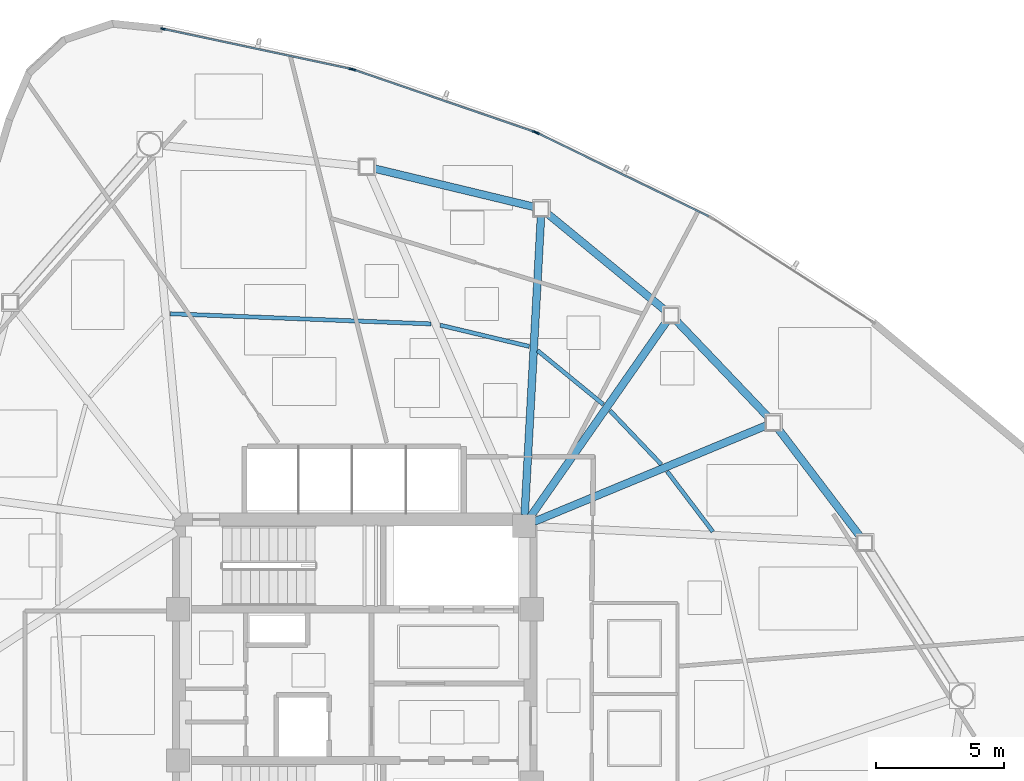
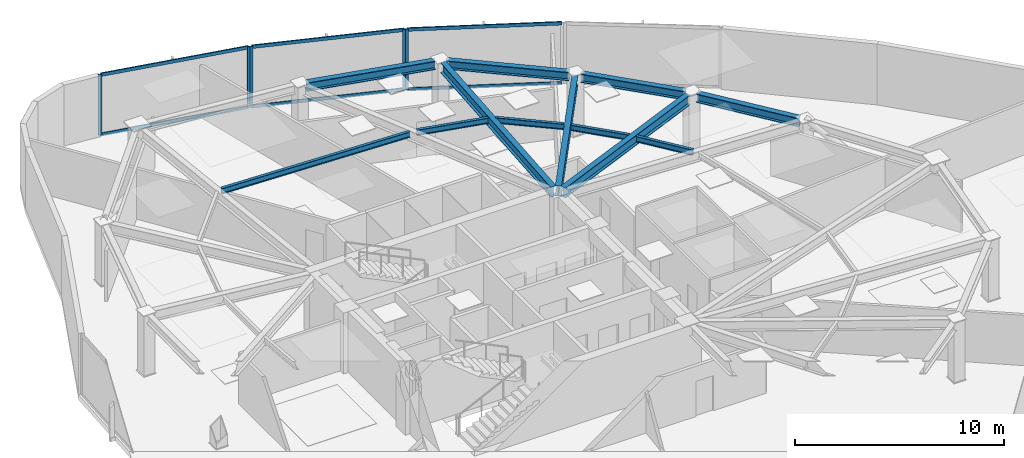
# One storey, part 8 of 17: 12 beams, 11 members, 3 elements without a shape of their own.
"""IFC4 building model written with IfcOpenShell, lengths in metres."""

from ifc_helpers import new_model, si_unit, direction, frame, origin, origin_2d, place, context, subcontext, project, spatial, hollow_rectangle, i_section, extrude, source, transform, mapped, material, layer, layer_set, material_profile, profile_set, type_object, type_shapes, element, aggregate, save


model = new_model("IFC4")

# Units and contexts
model_context = context("Model", 3, precision=1e-05, world=origin(), true_north=direction((0.0, 1.0)))
body_context = subcontext(model_context, "Body", "Model", "MODEL_VIEW")
ifc_project = project(units=[si_unit("LENGTHUNIT", "METRE"), si_unit("AREAUNIT", "SQUARE_METRE"), si_unit("VOLUMEUNIT", "CUBIC_METRE"), si_unit("PLANEANGLEUNIT", "RADIAN"), si_unit("MASSUNIT", "GRAM", prefix="KILO")], contexts=[model_context])

# Site, building, storey
site_placement = place(None, origin())
site = spatial("IfcSite", under=ifc_project, at=site_placement, CompositionType="ELEMENT")
building_placement = place(site_placement, origin())
building = spatial("IfcBuilding", under=site, at=building_placement, Name="Tavelor Broadcast Tower", CompositionType="ELEMENT")
storey_placement = place(building_placement, frame((0.0, 0.0, 161.800048828125)))
storey = spatial("IfcBuildingStorey", under=building, at=storey_placement, Name="L38", CompositionType="ELEMENT", Elevation=161.800048828125)

# Beams
ifc_material_1 = material(Name="Steel S355", Category="steel")
ifc_material_profile_1 = material_profile(ifc_material_1, i_section(OverallWidth=0.159912109375, OverallDepth=0.330078125, WebThickness=0.007568359375, FlangeThickness=0.011474609375, at=origin_2d()), Name="IPE 330")
ifc_profile_set_1 = profile_set([ifc_material_profile_1], Name="Steel S355")
beam_type_1 = type_object("IfcBeamType", Name="Composite Floor Joist T4 IPE 330", PredefinedType="JOIST", material=ifc_profile_set_1)
beam_1_placement = place(storey_placement, frame((63.959716796875, 50.9755859375, 3.385009765625), z_axis=(-0.604116162247, 0.796896268351, 0.0), x_axis=(-0.796896268351, -0.604116162247, 0.0)))
element("IfcBeam", 1, at=beam_1_placement, inside=storey, type_object=beam_type_1, Name="L38 Secondary Composite Floor Joist 14", PredefinedType="JOIST", context=body_context, shape_type="SweptSolid", body=[
    extrude(i_section(OverallWidth=0.159912109375, OverallDepth=0.330078125, WebThickness=0.007568359375, FlangeThickness=0.011474609375, at=origin_2d()), origin(), (0.0, 0.0, 1.0), 2.94580078125),
])
beam_2_placement = place(storey_placement, frame((61.946044921875, 53.59814453125, 3.385009765625), z_axis=(-0.689642531817, 0.724149969487, 0.0), x_axis=(-0.724149969487, -0.689642531817, 0.0)))
element("IfcBeam", 2, at=beam_2_placement, inside=storey, type_object=beam_type_1, Name="L38 Secondary Composite Floor Joist 15", PredefinedType="JOIST", context=body_context, shape_type="SweptSolid", body=[
    extrude(i_section(OverallWidth=0.159912109375, OverallDepth=0.330078125, WebThickness=0.007568359375, FlangeThickness=0.011474609375, at=origin_2d()), origin(), (0.0, 0.0, 1.0), 2.893798828125),
])
beam_3_placement = place(storey_placement, frame((59.685791015625, 55.939453125, 3.385009765625), z_axis=(-0.773655391446, 0.633606609251, 0.0), x_axis=(-0.633606609251, -0.773655391446, 0.0)))
element("IfcBeam", 3, at=beam_3_placement, inside=storey, type_object=beam_type_1, Name="L38 Secondary Composite Floor Joist 16", PredefinedType="JOIST", context=body_context, shape_type="SweptSolid", body=[
    extrude(i_section(OverallWidth=0.159912109375, OverallDepth=0.330078125, WebThickness=0.007568359375, FlangeThickness=0.011474609375, at=origin_2d()), origin(), (0.0, 0.0, 1.0), 3.315673828125),
])
beam_4_placement = place(storey_placement, frame((56.804443359375, 58.197021484375, 3.385009765625), z_axis=(-0.972674676245, 0.232172294196, 0.0), x_axis=(-0.232172294196, -0.972674676245, 0.0)))
element("IfcBeam", 4, at=beam_4_placement, inside=storey, type_object=beam_type_1, Name="L38 Secondary Composite Floor Joist 17", PredefinedType="JOIST", context=body_context, shape_type="SweptSolid", body=[
    extrude(i_section(OverallWidth=0.159912109375, OverallDepth=0.330078125, WebThickness=0.007568359375, FlangeThickness=0.011474609375, at=origin_2d()), origin(), (0.0, 0.0, 1.0), 3.56884765625),
])
beam_5_placement = place(storey_placement, frame((52.976318359375, 59.07470703125, 3.385009765625), z_axis=(-0.999243420365, 0.038891989637, 0.0), x_axis=(-0.038891989637, -0.999243420365, 0.0)))
element("IfcBeam", 5, at=beam_5_placement, inside=storey, type_object=beam_type_1, Name="L38 Secondary Composite Floor Joist 18", PredefinedType="JOIST", context=body_context, shape_type="SweptSolid", body=[
    extrude(i_section(OverallWidth=0.159912109375, OverallDepth=0.330078125, WebThickness=0.007568359375, FlangeThickness=0.011474609375, at=origin_2d()), origin(), (0.0, 0.0, 1.0), 10.17578125),
])
ifc_material_profile_2 = material_profile(ifc_material_1, i_section(OverallWidth=0.300048828125, OverallDepth=0.5, WebThickness=0.014404296875, FlangeThickness=0.028076171875, at=origin_2d()), Name="HEB 500")
ifc_profile_set_2 = profile_set([ifc_material_profile_2], Name="Steel S355")
beam_type_2 = type_object("IfcBeamType", Name="Perimeter Spandrel Beam T4 HEB 500", PredefinedType="SPANDREL", material=ifc_profile_set_2)
beam_6_placement = place(storey_placement, frame((69.711669921875, 50.7734375, 3.300048828125), z_axis=(-0.605502841959, 0.795843143075, 0.0), x_axis=(-0.795843143075, -0.605502841959, 0.0)))
element("IfcBeam", 6, at=beam_6_placement, inside=storey, type_object=beam_type_2, Name="L38 Framed-Tube Ring Spandrel 14", PredefinedType="SPANDREL", context=body_context, shape_type="SweptSolid", body=[
    extrude(i_section(OverallWidth=0.300048828125, OverallDepth=0.5, WebThickness=0.014404296875, FlangeThickness=0.028076171875, at=origin_2d()), origin(), (0.0, 0.0, 1.0), 5.310302734375),
])
beam_7_placement = place(storey_placement, frame((66.123291015625, 55.437255859375, 3.300048828125), z_axis=(-0.689936010055, 0.723870362723, 0.0), x_axis=(-0.723870362723, -0.689936010055, 0.0)))
element("IfcBeam", 7, at=beam_7_placement, inside=storey, type_object=beam_type_2, Name="L38 Framed-Tube Ring Spandrel 15", PredefinedType="SPANDREL", context=body_context, shape_type="SweptSolid", body=[
    extrude(i_section(OverallWidth=0.300048828125, OverallDepth=0.5, WebThickness=0.014404296875, FlangeThickness=0.028076171875, at=origin_2d()), origin(), (0.0, 0.0, 1.0), 5.208740234375),
])
beam_8_placement = place(storey_placement, frame((62.1083984375, 59.59912109375, 3.300048828125), z_axis=(-0.772717651191, 0.634749896839, 0.0), x_axis=(-0.634749896839, -0.772717651191, 0.0)))
element("IfcBeam", 8, at=beam_8_placement, inside=storey, type_object=beam_type_2, Name="L38 Framed-Tube Ring Spandrel 16", PredefinedType="SPANDREL", context=body_context, shape_type="SweptSolid", body=[
    extrude(i_section(OverallWidth=0.300048828125, OverallDepth=0.5, WebThickness=0.014404296875, FlangeThickness=0.028076171875, at=origin_2d()), origin(), (0.0, 0.0, 1.0), 5.965087890625),
])
beam_9_placement = place(storey_placement, frame((56.99658203125, 63.635498046875, 3.300048828125), z_axis=(-0.972354853411, 0.233508113452, 0.0), x_axis=(-0.233508113452, -0.972354853411, 0.0)))
element("IfcBeam", 9, at=beam_9_placement, inside=storey, type_object=beam_type_2, Name="L38 Framed-Tube Ring Spandrel 17", PredefinedType="SPANDREL", context=body_context, shape_type="SweptSolid", body=[
    extrude(i_section(OverallWidth=0.300048828125, OverallDepth=0.5, WebThickness=0.014404296875, FlangeThickness=0.028076171875, at=origin_2d()), origin(), (0.0, 0.0, 1.0), 6.421630859375),
])
ifc_material_profile_3 = material_profile(ifc_material_1, i_section(OverallWidth=0.300048828125, OverallDepth=0.590087890625, WebThickness=0.012939453125, FlangeThickness=0.02490234375, at=origin_2d()), Name="HEA 600")
ifc_profile_set_3 = profile_set([ifc_material_profile_3], Name="Steel S355")
beam_type_3 = type_object("IfcBeamType", Name="Radial Floor Girder T4 HEA 600", PredefinedType="BEAM", material=ifc_profile_set_3)
beam_10_placement = place(storey_placement, frame((56.9990234375, 51.365478515625, 3.2548828125), z_axis=(0.923827405628, 0.38280925356, 0.0), x_axis=(-0.38280925356, 0.923827405628, 0.0)))
element("IfcBeam", 10, at=beam_10_placement, inside=storey, type_object=beam_type_3, Name="L38 Radial Primary Floor Girder 15", PredefinedType="BEAM", context=body_context, shape_type="SweptSolid", body=[
    extrude(i_section(OverallWidth=0.300048828125, OverallDepth=0.590087890625, WebThickness=0.012939453125, FlangeThickness=0.02490234375, at=origin_2d()), origin(), (0.0, 0.0, 1.0), 9.8037109375),
])
beam_11_placement = place(storey_placement, frame((56.84716796875, 51.55419921875, 3.2548828125), z_axis=(0.572078083908, 0.820199162346, 0.0), x_axis=(-0.820199162346, 0.572078083908, 0.0)))
element("IfcBeam", 11, at=beam_11_placement, inside=storey, type_object=beam_type_3, Name="L38 Radial Primary Floor Girder 16", PredefinedType="BEAM", context=body_context, shape_type="SweptSolid", body=[
    extrude(i_section(OverallWidth=0.300048828125, OverallDepth=0.590087890625, WebThickness=0.012939453125, FlangeThickness=0.02490234375, at=origin_2d()), origin(), (0.0, 0.0, 1.0), 9.29736328125),
])
beam_12_placement = place(storey_placement, frame((56.62353515625, 51.63134765625, 3.2548828125), z_axis=(0.054637852805, 0.998506236856, 0.0), x_axis=(-0.998506236856, 0.054637852805, 0.0)))
element("IfcBeam", 12, at=beam_12_placement, inside=storey, type_object=beam_type_3, Name="L38 Radial Primary Floor Girder 17", PredefinedType="BEAM", context=body_context, shape_type="SweptSolid", body=[
    extrude(i_section(OverallWidth=0.300048828125, OverallDepth=0.590087890625, WebThickness=0.012939453125, FlangeThickness=0.02490234375, at=origin_2d()), origin(), (0.0, 0.0, 1.0), 11.666748046875),
])

# Curtain wall, member
ifc_material_2 = material(Name="Architectural Anodized Aluminium", Category="aluminium")
ifc_layer = layer(ifc_material_2, 0.18994140625)
ifc_layer_set = layer_set([ifc_layer], Name="Architectural Anodized Aluminium")
curtain_wall_type = type_object("IfcCurtainWallType", Name="Tower Mid-Zone Acoustic Curtain Wall CW03", PredefinedType="NOTDEFINED", material=ifc_layer_set)
curtain_wall_1_placement = place(storey_placement, origin())
curtain_wall_1 = element("IfcCurtainWall", 13, at=curtain_wall_1_placement, inside=storey, type_object=curtain_wall_type, Name="L38 Curtain Wall CW03 Run 406", PredefinedType="NOTDEFINED")
ifc_material_profile_4 = material_profile(ifc_material_2, hollow_rectangle(XDim=0.068115234375, YDim=0.18994140625, WallThickness=0.02197265625, at=origin_2d()), Name="RHS 68x190x22")
ifc_profile_set_4 = profile_set([ifc_material_profile_4], Name="Architectural Anodized Aluminium")
member_type_1 = type_object("IfcMemberType", Name="CW03 Extruded Aluminium Mullion 68x190", PredefinedType="MULLION", material=ifc_profile_set_4)
shared_shape_1 = source(origin(), body_context, "Body", "SweptSolid", [
    extrude(hollow_rectangle(XDim=0.068115234375, YDim=0.18994140625, WallThickness=0.02197265625, at=origin_2d()), origin(), (0.0, 0.0, 1.0), 3.550048828125),
])
type_shapes(member_type_1, [shared_shape_1])
member_1_placement = place(storey_placement, frame((57.10693359375, 66.520751953125, 0.0), z_axis=(0.0, 0.0, 1.0), x_axis=(-0.437177960717, -0.899375022259, 0.0)))
member_1 = element("IfcMember", 14, at=member_1_placement, type_object=member_type_1, Name="CW03 mullion 2", PredefinedType="MULLION", context=body_context, shape_type="MappedRepresentation", body=[
    mapped(shared_shape_1, transform((0.0, 0.0, 0.0), scale=1.0)),
])

# Curtain wall, members
curtain_wall_2_placement = place(storey_placement, origin())
curtain_wall_2 = element("IfcCurtainWall", 15, at=curtain_wall_2_placement, inside=storey, type_object=curtain_wall_type, Name="L38 Curtain Wall CW03 Run 407", PredefinedType="NOTDEFINED")
member_2_placement = place(storey_placement, frame((57.0166015625, 66.55810546875, 0.0), z_axis=(0.0, 0.0, 1.0), x_axis=(-0.325151282394, -0.945662013384, 0.0)))
member_2 = element("IfcMember", 16, at=member_2_placement, type_object=member_type_1, Name="CW03 mullion 1", PredefinedType="MULLION", context=body_context, shape_type="MappedRepresentation", body=[
    mapped(shared_shape_1, transform((0.0, 0.0, 0.0), scale=1.0)),
])
member_3_placement = place(storey_placement, frame((49.9482421875, 68.988525390625, 0.0), z_axis=(0.0, 0.0, 1.0), x_axis=(-0.325151282394, -0.945662013384, 0.0)))
member_3 = element("IfcMember", 17, at=member_3_placement, type_object=member_type_1, Name="CW03 mullion 2", PredefinedType="MULLION", context=body_context, shape_type="MappedRepresentation", body=[
    mapped(shared_shape_1, transform((0.0, 0.0, 0.0), scale=1.0)),
])

curtain_wall_3_placement = place(storey_placement, origin())
curtain_wall_3 = element("IfcCurtainWall", 18, at=curtain_wall_3_placement, inside=storey, type_object=curtain_wall_type, Name="L38 Curtain Wall CW03 Run 408", PredefinedType="NOTDEFINED")
member_4_placement = place(storey_placement, frame((49.85400390625, 69.0146484375, 0.0), z_axis=(0.0, 0.0, 1.0), x_axis=(-0.208306395051, -0.978063620518, 0.0)))
member_4 = element("IfcMember", 19, at=member_4_placement, type_object=member_type_1, Name="CW03 mullion 1", PredefinedType="MULLION", context=body_context, shape_type="MappedRepresentation", body=[
    mapped(shared_shape_1, transform((0.0, 0.0, 0.0), scale=1.0)),
])
member_5_placement = place(storey_placement, frame((42.5283203125, 70.57470703125, 0.0), z_axis=(0.0, 0.0, 1.0), x_axis=(-0.208306395051, -0.978063620518, 0.0)))
member_5 = element("IfcMember", 20, at=member_5_placement, type_object=member_type_1, Name="CW03 mullion 2", PredefinedType="MULLION", context=body_context, shape_type="MappedRepresentation", body=[
    mapped(shared_shape_1, transform((0.0, 0.0, 0.0), scale=1.0)),
])

# Member
ifc_material_profile_5 = material_profile(ifc_material_2, hollow_rectangle(XDim=0.068115234375, YDim=0.18994140625, WallThickness=0.02197265625, at=origin_2d()), Name="RHS 68x190x22")
ifc_profile_set_5 = profile_set([ifc_material_profile_5], Name="Architectural Anodized Aluminium")
member_type_2 = type_object("IfcMemberType", Name="CW03 Extruded Aluminium Transom 68x190", PredefinedType="USERDEFINED", material=ifc_profile_set_5)
shared_shape_2 = source(origin(), body_context, "Body", "SweptSolid", [
    extrude(hollow_rectangle(XDim=0.068115234375, YDim=0.18994140625, WallThickness=0.02197265625, at=origin_2d()), origin(), (0.0, 0.0, 1.0), 7.40625),
])
member_6_placement = place(storey_placement, frame((63.79833984375, 63.26806640625, 0.033935546875), z_axis=(-0.899375234929, 0.437177523206, 0.0), x_axis=(-0.437177523206, -0.899375234929, 0.0)))
member_6 = element("IfcMember", 21, at=member_6_placement, type_object=member_type_2, Name="CW03 transom 1.1", ObjectType="TRANSOM", PredefinedType="USERDEFINED", context=body_context, shape_type="MappedRepresentation", body=[
    mapped(shared_shape_2, transform((0.0, 0.0, 0.0), scale=1.0)),
])

member_7_placement = place(storey_placement, frame((63.79833984375, 63.26806640625, 3.515869140625), z_axis=(-0.899375234929, 0.437177523206, 0.0), x_axis=(-0.437177523206, -0.899375234929, 0.0)))
member_7 = element("IfcMember", 22, at=member_7_placement, type_object=member_type_2, Name="CW03 transom 1.2", ObjectType="TRANSOM", PredefinedType="USERDEFINED", context=body_context, shape_type="MappedRepresentation", body=[
    mapped(shared_shape_2, transform((0.0, 0.0, 0.0), scale=1.0)),
])

aggregate(curtain_wall_1, [member_1, member_6, member_7])

member_8_placement = place(storey_placement, frame((56.984375, 66.569091796875, 0.033935546875), z_axis=(-0.945661261923, 0.325153467917, 0.0), x_axis=(-0.325153467917, -0.945661261923, 0.0)))
member_8 = element("IfcMember", 23, at=member_8_placement, type_object=member_type_2, Name="CW03 transom 1.1", ObjectType="TRANSOM", PredefinedType="USERDEFINED", context=body_context, shape_type="MappedRepresentation", body=[
    mapped(shared_shape_2, transform((0.0, 0.0, 0.0), scale=1.0)),
])

member_9_placement = place(storey_placement, frame((56.984375, 66.569091796875, 3.515869140625), z_axis=(-0.945661261923, 0.325153467917, 0.0), x_axis=(-0.325153467917, -0.945661261923, 0.0)))
member_9 = element("IfcMember", 24, at=member_9_placement, type_object=member_type_2, Name="CW03 transom 1.2", ObjectType="TRANSOM", PredefinedType="USERDEFINED", context=body_context, shape_type="MappedRepresentation", body=[
    mapped(shared_shape_2, transform((0.0, 0.0, 0.0), scale=1.0)),
])

aggregate(curtain_wall_2, [member_2, member_3, member_8, member_9])

shared_shape_3 = source(origin(), body_context, "Body", "SweptSolid", [
    extrude(hollow_rectangle(XDim=0.068115234375, YDim=0.18994140625, WallThickness=0.02197265625, at=origin_2d()), origin(), (0.0, 0.0, 1.0), 7.422119140625),
])
type_shapes(member_type_2, [shared_shape_2, shared_shape_3])
member_10_placement = place(storey_placement, frame((49.82080078125, 69.021728515625, 0.033935546875), z_axis=(-0.978068303661, 0.208284405017, 0.0), x_axis=(-0.208284405017, -0.978068303661, 0.0)))
member_10 = element("IfcMember", 25, at=member_10_placement, type_object=member_type_2, Name="CW03 transom 1.1", ObjectType="TRANSOM", PredefinedType="USERDEFINED", context=body_context, shape_type="MappedRepresentation", body=[
    mapped(shared_shape_3, transform((0.0, 0.0, 0.0), scale=1.0)),
])

member_11_placement = place(storey_placement, frame((49.82080078125, 69.021728515625, 3.515869140625), z_axis=(-0.978068303661, 0.208284405017, 0.0), x_axis=(-0.208284405017, -0.978068303661, 0.0)))
member_11 = element("IfcMember", 26, at=member_11_placement, type_object=member_type_2, Name="CW03 transom 1.2", ObjectType="TRANSOM", PredefinedType="USERDEFINED", context=body_context, shape_type="MappedRepresentation", body=[
    mapped(shared_shape_3, transform((0.0, 0.0, 0.0), scale=1.0)),
])

aggregate(curtain_wall_3, [member_4, member_5, member_10, member_11])

save(model, "model.ifc")
